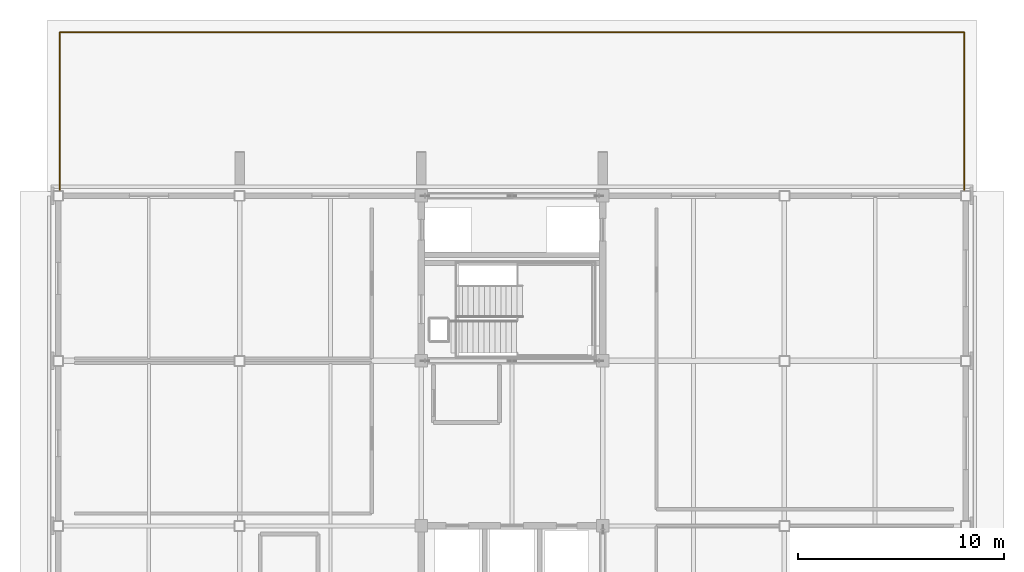
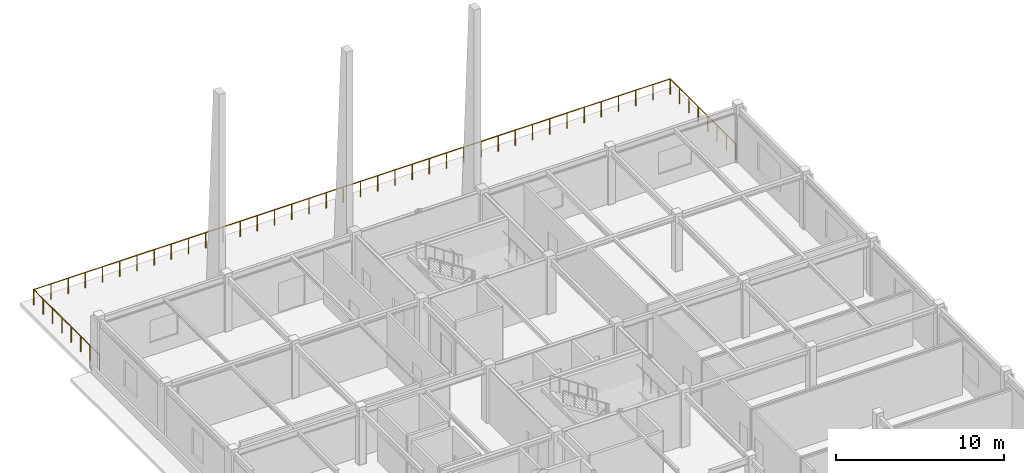
# One storey, part 22 of 22: 1 railing.
"""IFC4 building model written with IfcOpenShell, lengths in metres."""

from ifc_helpers import new_model, si_unit, direction, frame, origin, origin_2d, place, context, subcontext, project, spatial, circle, extrude, material, type_object, element, save


model = new_model("IFC4")

# Units and contexts
model_context = context("Model", 3, precision=1e-05, world=origin(), true_north=direction((0.0, 1.0)))
body_context = subcontext(model_context, "Body", "Model", "MODEL_VIEW")
ifc_project = project(units=[si_unit("LENGTHUNIT", "METRE"), si_unit("AREAUNIT", "SQUARE_METRE"), si_unit("VOLUMEUNIT", "CUBIC_METRE"), si_unit("PLANEANGLEUNIT", "RADIAN"), si_unit("MASSUNIT", "GRAM", prefix="KILO")], contexts=[model_context])

# Site, building, storey
site_placement = place(None, origin())
site = spatial("IfcSite", under=ifc_project, at=site_placement, CompositionType="ELEMENT")
building_placement = place(site_placement, origin())
building = spatial("IfcBuilding", under=site, at=building_placement, Name="Zhaolan Boulevard Law Courts", CompositionType="ELEMENT")
storey_placement = place(building_placement, frame((0.0, 0.0, 28.800048828125)))
storey = spatial("IfcBuildingStorey", under=building, at=storey_placement, Name="L06", CompositionType="ELEMENT", Elevation=28.800048828125)

# Railing
ifc_material = material(Name="Stainless steel 316L and laminated glass", Category="steel")
railing_type = type_object("IfcRailingType", Name="TERRACE GUARDRAIL 1150", PredefinedType="GUARDRAIL", material=ifc_material)
railing_placement = place(storey_placement, frame((0.080078125, 70.080078125, 0.0)))
element("IfcRailing", 1, at=railing_placement, inside=storey, type_object=railing_type, Name="Terrace Guardrail GR-TER-L06", PredefinedType="GUARDRAIL", context=body_context, shape_type="SweptSolid", body=[
    extrude(circle(Radius=0.02490234375, at=origin_2d()), frame((0.0, 0.0, 1.125), z_axis=(0.0, 1.0, 0.0), x_axis=(-1.0, 0.0, 0.0)), (0.0, 0.0, 1.0), 7.83984375),
    extrude(circle(Radius=0.02490234375, at=origin_2d()), frame((0.0, 7.83984375, 1.125), z_axis=(1.0, 0.0, 0.0), x_axis=(0.0, 1.0, 0.0)), (0.0, 0.0, 1.0), 43.83984375),
    extrude(circle(Radius=0.02490234375, at=origin_2d()), frame((43.83984375, 7.83984375, 1.125), z_axis=(0.0, -1.0, 0.0), x_axis=(1.0, 0.0, 0.0)), (0.0, 0.0, 1.0), 7.83984375),
    extrude(circle(Radius=0.0224609375, at=origin_2d()), origin(), (0.0, 0.0, 1.0), 1.099853515625),
    extrude(circle(Radius=0.0224609375, at=origin_2d()), frame((0.0, 1.119873046875, 0.0)), (0.0, 0.0, 1.0), 1.099853515625),
    extrude(circle(Radius=0.0224609375, at=origin_2d()), frame((0.0, 2.239990234375, 0.0)), (0.0, 0.0, 1.0), 1.099853515625),
    extrude(circle(Radius=0.0224609375, at=origin_2d()), frame((0.0, 3.35986328125, 0.0)), (0.0, 0.0, 1.0), 1.099853515625),
    extrude(circle(Radius=0.0224609375, at=origin_2d()), frame((0.0, 4.47998046875, 0.0)), (0.0, 0.0, 1.0), 1.099853515625),
    extrude(circle(Radius=0.0224609375, at=origin_2d()), frame((0.0, 5.599853515625, 0.0)), (0.0, 0.0, 1.0), 1.099853515625),
    extrude(circle(Radius=0.0224609375, at=origin_2d()), frame((0.0, 6.719970703125, 0.0)), (0.0, 0.0, 1.0), 1.099853515625),
    extrude(circle(Radius=0.0224609375, at=origin_2d()), frame((0.0, 7.83984375, 0.0)), (0.0, 0.0, 1.0), 1.099853515625),
    extrude(circle(Radius=0.0224609375, at=origin_2d()), frame((1.184814453125, 7.83984375, 0.0)), (0.0, 0.0, 1.0), 1.099853515625),
    extrude(circle(Radius=0.0224609375, at=origin_2d()), frame((2.36962890625, 7.83984375, 0.0)), (0.0, 0.0, 1.0), 1.099853515625),
    extrude(circle(Radius=0.0224609375, at=origin_2d()), frame((3.5546875, 7.83984375, 0.0)), (0.0, 0.0, 1.0), 1.099853515625),
    extrude(circle(Radius=0.0224609375, at=origin_2d()), frame((4.739501953125, 7.83984375, 0.0)), (0.0, 0.0, 1.0), 1.099853515625),
    extrude(circle(Radius=0.0224609375, at=origin_2d()), frame((5.92431640625, 7.83984375, 0.0)), (0.0, 0.0, 1.0), 1.099853515625),
    extrude(circle(Radius=0.0224609375, at=origin_2d()), frame((7.109130859375, 7.83984375, 0.0)), (0.0, 0.0, 1.0), 1.099853515625),
    extrude(circle(Radius=0.0224609375, at=origin_2d()), frame((8.2939453125, 7.83984375, 0.0)), (0.0, 0.0, 1.0), 1.099853515625),
    extrude(circle(Radius=0.0224609375, at=origin_2d()), frame((9.47900390625, 7.83984375, 0.0)), (0.0, 0.0, 1.0), 1.099853515625),
    extrude(circle(Radius=0.0224609375, at=origin_2d()), frame((10.663818359375, 7.83984375, 0.0)), (0.0, 0.0, 1.0), 1.099853515625),
    extrude(circle(Radius=0.0224609375, at=origin_2d()), frame((11.8486328125, 7.83984375, 0.0)), (0.0, 0.0, 1.0), 1.099853515625),
    extrude(circle(Radius=0.0224609375, at=origin_2d()), frame((13.033447265625, 7.83984375, 0.0)), (0.0, 0.0, 1.0), 1.099853515625),
    extrude(circle(Radius=0.0224609375, at=origin_2d()), frame((14.21826171875, 7.83984375, 0.0)), (0.0, 0.0, 1.0), 1.099853515625),
    extrude(circle(Radius=0.0224609375, at=origin_2d()), frame((15.403076171875, 7.83984375, 0.0)), (0.0, 0.0, 1.0), 1.099853515625),
    extrude(circle(Radius=0.0224609375, at=origin_2d()), frame((16.588134765625, 7.83984375, 0.0)), (0.0, 0.0, 1.0), 1.099853515625),
    extrude(circle(Radius=0.0224609375, at=origin_2d()), frame((17.77294921875, 7.83984375, 0.0)), (0.0, 0.0, 1.0), 1.099853515625),
    extrude(circle(Radius=0.0224609375, at=origin_2d()), frame((18.957763671875, 7.83984375, 0.0)), (0.0, 0.0, 1.0), 1.099853515625),
    extrude(circle(Radius=0.0224609375, at=origin_2d()), frame((20.142578125, 7.83984375, 0.0)), (0.0, 0.0, 1.0), 1.099853515625),
    extrude(circle(Radius=0.0224609375, at=origin_2d()), frame((21.327392578125, 7.83984375, 0.0)), (0.0, 0.0, 1.0), 1.099853515625),
    extrude(circle(Radius=0.0224609375, at=origin_2d()), frame((22.512451171875, 7.83984375, 0.0)), (0.0, 0.0, 1.0), 1.099853515625),
    extrude(circle(Radius=0.0224609375, at=origin_2d()), frame((23.697265625, 7.83984375, 0.0)), (0.0, 0.0, 1.0), 1.099853515625),
    extrude(circle(Radius=0.0224609375, at=origin_2d()), frame((24.882080078125, 7.83984375, 0.0)), (0.0, 0.0, 1.0), 1.099853515625),
    extrude(circle(Radius=0.0224609375, at=origin_2d()), frame((26.06689453125, 7.83984375, 0.0)), (0.0, 0.0, 1.0), 1.099853515625),
    extrude(circle(Radius=0.0224609375, at=origin_2d()), frame((27.251708984375, 7.83984375, 0.0)), (0.0, 0.0, 1.0), 1.099853515625),
    extrude(circle(Radius=0.0224609375, at=origin_2d()), frame((28.436767578125, 7.83984375, 0.0)), (0.0, 0.0, 1.0), 1.099853515625),
    extrude(circle(Radius=0.0224609375, at=origin_2d()), frame((29.62158203125, 7.83984375, 0.0)), (0.0, 0.0, 1.0), 1.099853515625),
    extrude(circle(Radius=0.0224609375, at=origin_2d()), frame((30.806396484375, 7.83984375, 0.0)), (0.0, 0.0, 1.0), 1.099853515625),
    extrude(circle(Radius=0.0224609375, at=origin_2d()), frame((31.9912109375, 7.83984375, 0.0)), (0.0, 0.0, 1.0), 1.099853515625),
    extrude(circle(Radius=0.0224609375, at=origin_2d()), frame((33.176025390625, 7.83984375, 0.0)), (0.0, 0.0, 1.0), 1.099853515625),
    extrude(circle(Radius=0.0224609375, at=origin_2d()), frame((34.36083984375, 7.83984375, 0.0)), (0.0, 0.0, 1.0), 1.099853515625),
    extrude(circle(Radius=0.0224609375, at=origin_2d()), frame((35.5458984375, 7.83984375, 0.0)), (0.0, 0.0, 1.0), 1.099853515625),
    extrude(circle(Radius=0.0224609375, at=origin_2d()), frame((36.730712890625, 7.83984375, 0.0)), (0.0, 0.0, 1.0), 1.099853515625),
    extrude(circle(Radius=0.0224609375, at=origin_2d()), frame((37.91552734375, 7.83984375, 0.0)), (0.0, 0.0, 1.0), 1.099853515625),
    extrude(circle(Radius=0.0224609375, at=origin_2d()), frame((39.100341796875, 7.83984375, 0.0)), (0.0, 0.0, 1.0), 1.099853515625),
    extrude(circle(Radius=0.0224609375, at=origin_2d()), frame((40.28515625, 7.83984375, 0.0)), (0.0, 0.0, 1.0), 1.099853515625),
    extrude(circle(Radius=0.0224609375, at=origin_2d()), frame((41.47021484375, 7.83984375, 0.0)), (0.0, 0.0, 1.0), 1.099853515625),
    extrude(circle(Radius=0.0224609375, at=origin_2d()), frame((42.655029296875, 7.83984375, 0.0)), (0.0, 0.0, 1.0), 1.099853515625),
    extrude(circle(Radius=0.0224609375, at=origin_2d()), frame((43.83984375, 7.83984375, 0.0)), (0.0, 0.0, 1.0), 1.099853515625),
    extrude(circle(Radius=0.0224609375, at=origin_2d()), frame((43.83984375, 6.719970703125, 0.0)), (0.0, 0.0, 1.0), 1.099853515625),
    extrude(circle(Radius=0.0224609375, at=origin_2d()), frame((43.83984375, 5.599853515625, 0.0)), (0.0, 0.0, 1.0), 1.099853515625),
    extrude(circle(Radius=0.0224609375, at=origin_2d()), frame((43.83984375, 4.47998046875, 0.0)), (0.0, 0.0, 1.0), 1.099853515625),
    extrude(circle(Radius=0.0224609375, at=origin_2d()), frame((43.83984375, 3.35986328125, 0.0)), (0.0, 0.0, 1.0), 1.099853515625),
    extrude(circle(Radius=0.0224609375, at=origin_2d()), frame((43.83984375, 2.239990234375, 0.0)), (0.0, 0.0, 1.0), 1.099853515625),
    extrude(circle(Radius=0.0224609375, at=origin_2d()), frame((43.83984375, 1.119873046875, 0.0)), (0.0, 0.0, 1.0), 1.099853515625),
    extrude(circle(Radius=0.0224609375, at=origin_2d()), frame((43.83984375, 0.0, 0.0)), (0.0, 0.0, 1.0), 1.099853515625),
])

save(model, "model.ifc")
